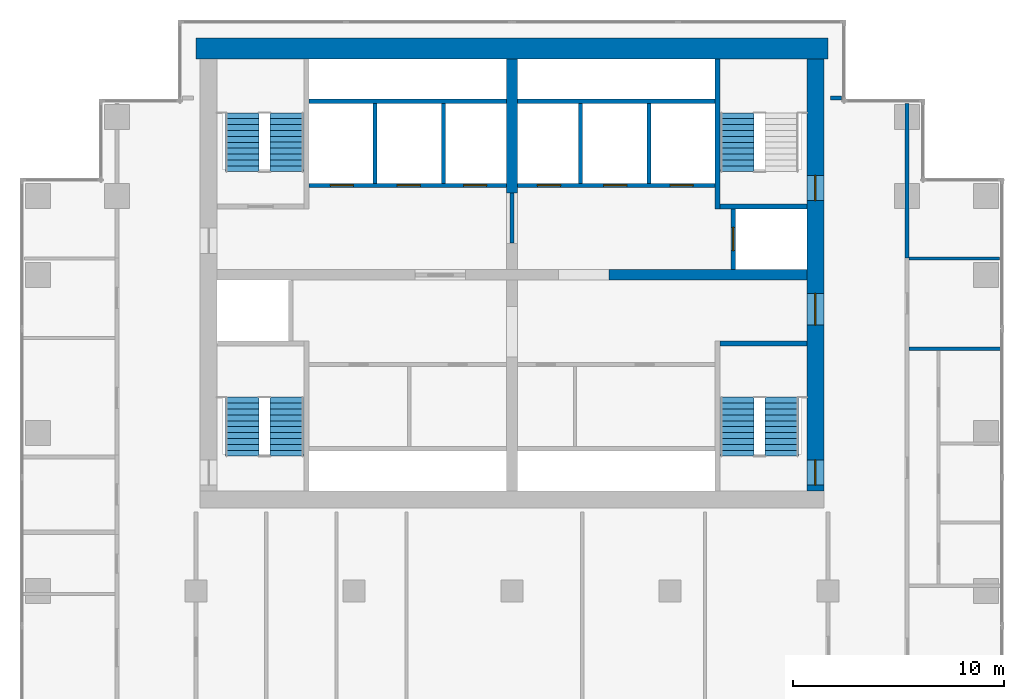
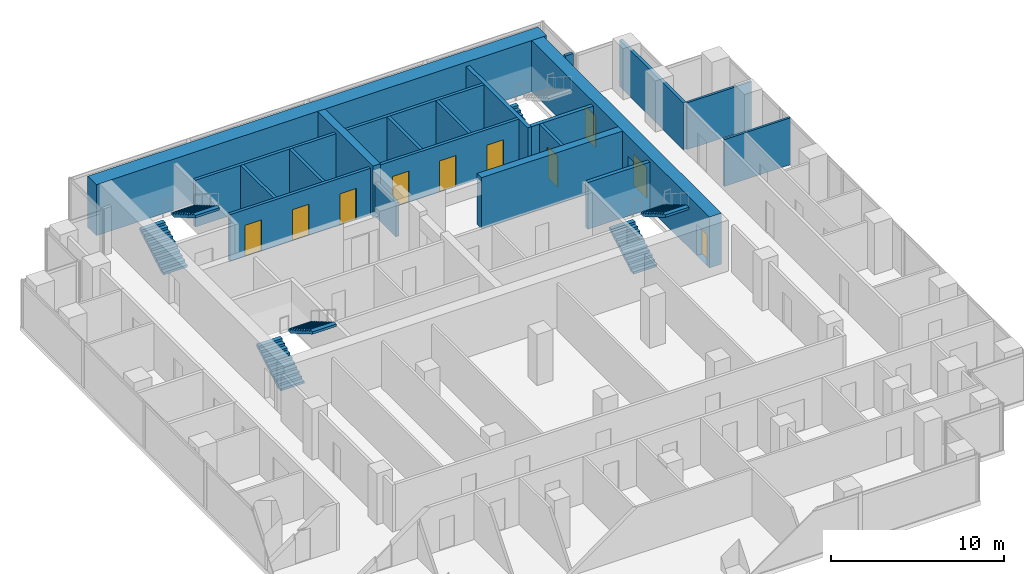
# One storey, part 9 of 11: 21 walls, 10 doors, 7 stair flights, 10 openings, 4 elements without a shape of their own.
"""IFC4 building model written with IfcOpenShell, lengths in metres."""

from ifc_helpers import new_model, si_unit, direction, frame, frame_2d, origin, place, context, subcontext, project, spatial, polyline, rectangle, outline, extrude, material, layer, layer_set, type_object, element, fill, aggregate, save


model = new_model("IFC4")

# Units and contexts
model_context = context("Model", 3, precision=1e-05, world=origin(), true_north=direction((0.0, 1.0)))
body_context = subcontext(model_context, "Body", "Model", "MODEL_VIEW")
ifc_project = project(units=[si_unit("LENGTHUNIT", "METRE"), si_unit("AREAUNIT", "SQUARE_METRE"), si_unit("VOLUMEUNIT", "CUBIC_METRE"), si_unit("PLANEANGLEUNIT", "RADIAN"), si_unit("MASSUNIT", "GRAM", prefix="KILO")], contexts=[model_context])

# Site, building, storey
site_placement = place(None, origin())
site = spatial("IfcSite", under=ifc_project, at=site_placement, CompositionType="ELEMENT")
building_placement = place(site_placement, origin())
building = spatial("IfcBuilding", under=site, at=building_placement, Name="Pilkhan Gate Tower", CompositionType="ELEMENT")
storey_placement = place(building_placement, frame((0.0, 0.0, 172.89990234375)))
storey = spatial("IfcBuildingStorey", under=building, at=storey_placement, Name="L44", CompositionType="ELEMENT", Elevation=172.89990234375)

# Wall
ifc_material_1 = material(Name="Concrete C60/75", Category="concrete")
ifc_layer_1 = layer(ifc_material_1, 1.0)
ifc_layer_set_1 = layer_set([ifc_layer_1], Name="Core wall CW1000 C60/75")
wall_type_1 = type_object("IfcWallType", Name="Core wall CW1000 C60/75", PredefinedType="SHEAR", material=ifc_layer_set_1)
wall_1_placement = place(storey_placement, frame((90.0, 93.25, 0.0), z_axis=(0.0, 0.0, 1.0), x_axis=(-1.0, 0.0, 0.0)))
element("IfcWall", 1, at=wall_1_placement, inside=storey, type_object=wall_type_1, Name="Core wall N L44", PredefinedType="SHEAR", context=body_context, shape_type="SweptSolid", body=[
    extrude(rectangle(XDim=30.0, YDim=1.0, at=frame_2d((15.0, 0.0))), origin(), (0.0, 0.0, 1.0), 3.60009765625),
])

# Wall, openings, doors
ifc_layer_2 = layer(ifc_material_1, 0.800048828125)
ifc_layer_set_2 = layer_set([ifc_layer_2], Name="Core wall CW800 C60/75")
wall_type_2 = type_object("IfcWallType", Name="Core wall CW800 C60/75", PredefinedType="SHEAR", material=ifc_layer_set_2)
wall_2_placement = place(storey_placement, frame((89.39990234375, 72.25, 0.0), z_axis=(0.0, 0.0, 1.0), x_axis=(0.0, 1.0, 0.0)))
wall_2 = element("IfcWall", 2, at=wall_2_placement, inside=storey, type_object=wall_type_2, Name="Core wall E L44", PredefinedType="SHEAR", context=body_context, shape_type="SweptSolid", body=[
    extrude(rectangle(XDim=20.5, YDim=0.800048828125, at=frame_2d((10.25, 0.0))), origin(), (0.0, 0.0, 1.0), 3.60009765625),
])
opening_1_placement = place(wall_2_placement, frame((0.27490234375, 0.0, 0.0)))
opening_1 = element("IfcOpeningElement", 3, at=opening_1_placement, cuts=wall_2, Name="Opening L44-03", PredefinedType="OPENING", context=body_context, shape_type="SweptSolid", body=[
    extrude(rectangle(XDim=1.199951171875, YDim=2.199951171875, at=frame_2d((0.60009765625, 1.10009765625))), frame((0.0, 0.409912109375, 0.0), z_axis=(0.0, -1.0, 0.0), x_axis=(1.0, 0.0, 0.0)), (0.0, 0.0, 1.0), 0.820068359375),
])
opening_2_placement = place(wall_2_placement, frame((13.77490234375, 0.0, 0.0)))
opening_2 = element("IfcOpeningElement", 4, at=opening_2_placement, cuts=wall_2, Name="Opening L44-05", PredefinedType="OPENING", context=body_context, shape_type="SweptSolid", body=[
    extrude(rectangle(XDim=1.199951171875, YDim=2.199951171875, at=frame_2d((0.60009765625, 1.10009765625))), frame((0.0, 0.409912109375, 0.0), z_axis=(0.0, -1.0, 0.0), x_axis=(1.0, 0.0, 0.0)), (0.0, 0.0, 1.0), 0.820068359375),
])
opening_3_placement = place(wall_2_placement, frame((7.875, 0.0, 0.0)))
opening_3 = element("IfcOpeningElement", 5, at=opening_3_placement, cuts=wall_2, Name="Opening L44-10", PredefinedType="OPENING", context=body_context, shape_type="SweptSolid", body=[
    extrude(rectangle(XDim=1.5, YDim=2.199951171875, at=frame_2d((0.75, 1.10009765625))), frame((0.0, 0.409912109375, 0.0), z_axis=(0.0, -1.0, 0.0), x_axis=(1.0, 0.0, 0.0)), (0.0, 0.0, 1.0), 0.820068359375),
])
ifc_material_2 = material(Name="Steel framed glazed door, 60 minute fire resisting", Category="steel")
door_type_1 = type_object("IfcDoorType", Name="Lobby door D09 1500x2200", OperationType="DOUBLE_DOOR_SINGLE_SWING", PredefinedType="DOOR", material=ifc_material_2)
door_1_placement = place(opening_3_placement, origin())
door_1 = element("IfcDoor", 6, at=door_1_placement, inside=storey, type_object=door_type_1, Name="Core door", OperationType="DOUBLE_DOOR_SINGLE_SWING", OverallHeight=2.199951171875, OverallWidth=1.5, PredefinedType="DOOR", context=body_context, shape_type="SweptSolid", body=[
    extrude(rectangle(XDim=1.5, YDim=2.199951171875, at=frame_2d((0.75, 1.10009765625))), frame((0.0, 0.02490234375, 0.0), z_axis=(0.0, -1.0, 0.0), x_axis=(1.0, 0.0, 0.0)), (0.0, 0.0, 1.0), 0.050048828125),
])
fill(opening_3, door_1)
ifc_material_3 = material(Name="Steel door, 120 minute fire resisting, panic bar", Category="steel")
door_type_2 = type_object("IfcDoorType", Name="Stair door D11 1200x2200", OperationType="SINGLE_SWING_LEFT", PredefinedType="DOOR", material=ifc_material_3)
door_2_placement = place(opening_1_placement, origin())
door_2 = element("IfcDoor", 7, at=door_2_placement, inside=storey, type_object=door_type_2, Name="Stair ST1 door", OperationType="SINGLE_SWING_LEFT", OverallHeight=2.199951171875, OverallWidth=1.199951171875, PredefinedType="DOOR", context=body_context, shape_type="SweptSolid", body=[
    extrude(rectangle(XDim=1.199951171875, YDim=2.199951171875, at=frame_2d((0.60009765625, 1.10009765625))), frame((0.0, 0.02490234375, 0.0), z_axis=(0.0, -1.0, 0.0), x_axis=(1.0, 0.0, 0.0)), (0.0, 0.0, 1.0), 0.050048828125),
])
fill(opening_1, door_2)
door_3_placement = place(opening_2_placement, origin())
door_3 = element("IfcDoor", 8, at=door_3_placement, inside=storey, type_object=door_type_2, Name="Stair ST4 door", OperationType="SINGLE_SWING_RIGHT", OverallHeight=2.199951171875, OverallWidth=1.199951171875, PredefinedType="DOOR", context=body_context, shape_type="SweptSolid", body=[
    extrude(rectangle(XDim=1.199951171875, YDim=2.199951171875, at=frame_2d((0.60009765625, 1.10009765625))), frame((0.0, 0.02490234375, 0.0), z_axis=(0.0, -1.0, 0.0), x_axis=(1.0, 0.0, 0.0)), (0.0, 0.0, 1.0), 0.050048828125),
])
fill(opening_2, door_3)

# Walls
ifc_material_4 = material(Name="Dense blockwork", Category="masonry")
ifc_layer_3 = layer(ifc_material_4, 0.199951171875)
ifc_layer_set_3 = layer_set([ifc_layer_3], Name="Corridor wall FW200")
wall_type_3 = type_object("IfcWallType", Name="Corridor wall FW200", PredefinedType="PARTITIONING", material=ifc_layer_set_3)
wall_3_placement = place(storey_placement, frame((90.1201171875, 90.89990234375, 0.0), z_axis=(0.0, 0.0, 1.0), x_axis=(1.0, 0.0, 0.0)))
element("IfcWall", 9, at=wall_3_placement, inside=storey, type_object=wall_type_3, Name="Partition L44", PredefinedType="PARTITIONING", context=body_context, shape_type="SweptSolid", body=[
    extrude(rectangle(XDim=0.52490234375, YDim=0.199951171875, at=frame_2d((0.262451171875, 0.0))), origin(), (0.0, 0.0, 1.0), 3.300048828125),
])
wall_4_placement = place(storey_placement, frame((93.75, 83.31005859375, 0.0), z_axis=(0.0, 0.0, 1.0), x_axis=(0.0, 1.0, 0.0)))
element("IfcWall", 10, at=wall_4_placement, inside=storey, type_object=wall_type_3, Name="Partition L44", PredefinedType="PARTITIONING", context=body_context, shape_type="SweptSolid", body=[
    extrude(rectangle(XDim=7.3349609375, YDim=0.199951171875, at=frame_2d((3.66748046875, 0.0))), origin(), (0.0, 0.0, 1.0), 3.300048828125),
])
ifc_layer_4 = layer(ifc_material_4, 0.199951171875)
ifc_layer_set_4 = layer_set([ifc_layer_4], Name="Lobby wall LW200")
wall_type_4 = type_object("IfcWallType", Name="Lobby wall LW200", PredefinedType="PARTITIONING", material=ifc_layer_set_4)
wall_5_placement = place(storey_placement, frame((75.0, 84.010009765625, 0.0), z_axis=(0.0, 0.0, 1.0), x_axis=(0.0, 1.0, 0.0)))
element("IfcWall", 11, at=wall_5_placement, inside=storey, type_object=wall_type_4, Name="Partition L44", PredefinedType="PARTITIONING", context=body_context, shape_type="SweptSolid", body=[
    extrude(rectangle(XDim=2.3798828125, YDim=0.199951171875, at=frame_2d((1.18994140625, 0.0))), origin(), (0.0, 0.0, 1.0), 2.400146484375),
])
ifc_material_5 = material(Name="Blockwork partition, plastered both sides", Category="masonry")
ifc_layer_5 = layer(ifc_material_5, 0.14990234375)
ifc_layer_set_5 = layer_set([ifc_layer_5], Name="Partition PW150")
wall_type_5 = type_object("IfcWallType", Name="Partition PW150", PredefinedType="PARTITIONING", material=ifc_layer_set_5)
wall_6_placement = place(storey_placement, frame((93.85009765625, 79.0, 0.0), z_axis=(0.0, 0.0, 1.0), x_axis=(1.0, 0.0, 0.0)))
element("IfcWall", 12, at=wall_6_placement, inside=storey, type_object=wall_type_5, Name="Partition L44", PredefinedType="PARTITIONING", context=body_context, shape_type="SweptSolid", body=[
    extrude(rectangle(XDim=4.414794921875, YDim=0.14990234375, at=frame_2d((2.20751953125, 0.0))), origin(), (0.0, 0.0, 1.0), 3.300048828125),
])
wall_7_placement = place(storey_placement, frame((93.85009765625, 83.280029296875, 0.0), z_axis=(0.0, 0.0, 1.0), x_axis=(1.0, 0.0, 0.0)))
element("IfcWall", 13, at=wall_7_placement, inside=storey, type_object=wall_type_5, Name="Partition L44", PredefinedType="PARTITIONING", context=body_context, shape_type="SweptSolid", body=[
    extrude(rectangle(XDim=4.294921875, YDim=0.14990234375, at=frame_2d((2.1474609375, 0.0))), origin(), (0.0, 0.0, 1.0), 3.300048828125),
])

# Wall, openings, doors
ifc_material_6 = material(Name="Reinforced blockwork shaft wall, 120 minute fire resisting", Category="masonry")
ifc_layer_6 = layer(ifc_material_6, 0.199951171875)
ifc_layer_set_6 = layer_set([ifc_layer_6], Name="Shaft wall SW200")
wall_type_6 = type_object("IfcWallType", Name="Shaft wall SW200", PredefinedType="PARTITIONING", material=ifc_layer_set_6)
wall_8_placement = place(storey_placement, frame((65.375, 86.75, 0.0), z_axis=(0.0, 0.0, 1.0), x_axis=(1.0, 0.0, 0.0)))
wall_8 = element("IfcWall", 14, at=wall_8_placement, inside=storey, type_object=wall_type_6, Name="Partition L44", PredefinedType="PARTITIONING", context=body_context, shape_type="SweptSolid", body=[
    extrude(rectangle(XDim=9.364990234375, YDim=0.199951171875, at=frame_2d((4.6826171875, 0.0))), origin(), (0.0, 0.0, 1.0), 3.300048828125),
])
opening_4_placement = place(wall_8_placement, frame((1.0, 0.0, 0.0)))
opening_4 = element("IfcOpeningElement", 15, at=opening_4_placement, cuts=wall_8, Name="Opening LD", PredefinedType="OPENING", context=body_context, shape_type="SweptSolid", body=[
    extrude(rectangle(XDim=1.10009765625, YDim=2.199951171875, at=frame_2d((0.550048828125, 1.10009765625))), frame((0.0, 0.10986328125, 0.0), z_axis=(0.0, -1.0, 0.0), x_axis=(1.0, 0.0, 0.0)), (0.0, 0.0, 1.0), 0.219970703125),
])
opening_5_placement = place(wall_8_placement, frame((4.175048828125, 0.0, 0.0)))
opening_5 = element("IfcOpeningElement", 16, at=opening_5_placement, cuts=wall_8, Name="Opening LD", PredefinedType="OPENING", context=body_context, shape_type="SweptSolid", body=[
    extrude(rectangle(XDim=1.10009765625, YDim=2.199951171875, at=frame_2d((0.550048828125, 1.10009765625))), frame((0.0, 0.10986328125, 0.0), z_axis=(0.0, -1.0, 0.0), x_axis=(1.0, 0.0, 0.0)), (0.0, 0.0, 1.0), 0.219970703125),
])
opening_6_placement = place(wall_8_placement, frame((7.324951171875, 0.0, 0.0)))
opening_6 = element("IfcOpeningElement", 17, at=opening_6_placement, cuts=wall_8, Name="Opening LD", PredefinedType="OPENING", context=body_context, shape_type="SweptSolid", body=[
    extrude(rectangle(XDim=1.10009765625, YDim=2.199951171875, at=frame_2d((0.550048828125, 1.10009765625))), frame((0.0, 0.10986328125, 0.0), z_axis=(0.0, -1.0, 0.0), x_axis=(1.0, 0.0, 0.0)), (0.0, 0.0, 1.0), 0.219970703125),
])
ifc_material_7 = material(Name="Stainless steel centre-opening landing door, 120 minute fire resisting", Category="steel")
door_type_3 = type_object("IfcDoorType", Name="Lift landing door LD 1100x2200", OperationType="DOUBLE_DOOR_SLIDING", PredefinedType="DOOR", material=ifc_material_7)
door_4_placement = place(opening_4_placement, origin())
door_4 = element("IfcDoor", 18, at=door_4_placement, inside=storey, type_object=door_type_3, Name="Landing door FF1", OperationType="DOUBLE_DOOR_SLIDING", OverallHeight=2.199951171875, OverallWidth=1.10009765625, PredefinedType="DOOR", context=body_context, shape_type="SweptSolid", body=[
    extrude(rectangle(XDim=1.10009765625, YDim=2.199951171875, at=frame_2d((0.550048828125, 1.10009765625))), frame((0.0, 0.02490234375, 0.0), z_axis=(0.0, -1.0, 0.0), x_axis=(1.0, 0.0, 0.0)), (0.0, 0.0, 1.0), 0.050048828125),
])
fill(opening_4, door_4)
door_5_placement = place(opening_5_placement, origin())
door_5 = element("IfcDoor", 19, at=door_5_placement, inside=storey, type_object=door_type_3, Name="Landing door FF2", OperationType="DOUBLE_DOOR_SLIDING", OverallHeight=2.199951171875, OverallWidth=1.10009765625, PredefinedType="DOOR", context=body_context, shape_type="SweptSolid", body=[
    extrude(rectangle(XDim=1.10009765625, YDim=2.199951171875, at=frame_2d((0.550048828125, 1.10009765625))), frame((0.0, 0.02490234375, 0.0), z_axis=(0.0, -1.0, 0.0), x_axis=(1.0, 0.0, 0.0)), (0.0, 0.0, 1.0), 0.050048828125),
])
fill(opening_5, door_5)
door_6_placement = place(opening_6_placement, origin())
door_6 = element("IfcDoor", 20, at=door_6_placement, inside=storey, type_object=door_type_3, Name="Landing door SV1", OperationType="DOUBLE_DOOR_SLIDING", OverallHeight=2.199951171875, OverallWidth=1.10009765625, PredefinedType="DOOR", context=body_context, shape_type="SweptSolid", body=[
    extrude(rectangle(XDim=1.10009765625, YDim=2.199951171875, at=frame_2d((0.550048828125, 1.10009765625))), frame((0.0, 0.02490234375, 0.0), z_axis=(0.0, -1.0, 0.0), x_axis=(1.0, 0.0, 0.0)), (0.0, 0.0, 1.0), 0.050048828125),
])
fill(opening_6, door_6)

wall_9_placement = place(storey_placement, frame((75.260009765625, 86.75, 0.0), z_axis=(0.0, 0.0, 1.0), x_axis=(1.0, 0.0, 0.0)))
wall_9 = element("IfcWall", 21, at=wall_9_placement, inside=storey, type_object=wall_type_6, Name="Partition L44", PredefinedType="PARTITIONING", context=body_context, shape_type="SweptSolid", body=[
    extrude(rectangle(XDim=9.364990234375, YDim=0.199951171875, at=frame_2d((4.6826171875, 0.0))), origin(), (0.0, 0.0, 1.0), 3.300048828125),
])
opening_7_placement = place(wall_9_placement, frame((0.949951171875, 0.0, 0.0)))
opening_7 = element("IfcOpeningElement", 22, at=opening_7_placement, cuts=wall_9, Name="Opening LD", PredefinedType="OPENING", context=body_context, shape_type="SweptSolid", body=[
    extrude(rectangle(XDim=1.10009765625, YDim=2.199951171875, at=frame_2d((0.550048828125, 1.10009765625))), frame((0.0, 0.10986328125, 0.0), z_axis=(0.0, -1.0, 0.0), x_axis=(1.0, 0.0, 0.0)), (0.0, 0.0, 1.0), 0.219970703125),
])
opening_8_placement = place(wall_9_placement, frame((4.090087890625, 0.0, 0.0)))
opening_8 = element("IfcOpeningElement", 23, at=opening_8_placement, cuts=wall_9, Name="Opening LD", PredefinedType="OPENING", context=body_context, shape_type="SweptSolid", body=[
    extrude(rectangle(XDim=1.10009765625, YDim=2.199951171875, at=frame_2d((0.550048828125, 1.10009765625))), frame((0.0, 0.10986328125, 0.0), z_axis=(0.0, -1.0, 0.0), x_axis=(1.0, 0.0, 0.0)), (0.0, 0.0, 1.0), 0.219970703125),
])
opening_9_placement = place(wall_9_placement, frame((7.239990234375, 0.0, 0.0)))
opening_9 = element("IfcOpeningElement", 24, at=opening_9_placement, cuts=wall_9, Name="Opening LD", PredefinedType="OPENING", context=body_context, shape_type="SweptSolid", body=[
    extrude(rectangle(XDim=1.10009765625, YDim=2.199951171875, at=frame_2d((0.550048828125, 1.10009765625))), frame((0.0, 0.10986328125, 0.0), z_axis=(0.0, -1.0, 0.0), x_axis=(1.0, 0.0, 0.0)), (0.0, 0.0, 1.0), 0.219970703125),
])
door_7_placement = place(opening_7_placement, origin())
door_7 = element("IfcDoor", 25, at=door_7_placement, inside=storey, type_object=door_type_3, Name="Landing door HR1", OperationType="DOUBLE_DOOR_SLIDING", OverallHeight=2.199951171875, OverallWidth=1.10009765625, PredefinedType="DOOR", context=body_context, shape_type="SweptSolid", body=[
    extrude(rectangle(XDim=1.10009765625, YDim=2.199951171875, at=frame_2d((0.550048828125, 1.10009765625))), frame((0.0, 0.02490234375, 0.0), z_axis=(0.0, -1.0, 0.0), x_axis=(1.0, 0.0, 0.0)), (0.0, 0.0, 1.0), 0.050048828125),
])
fill(opening_7, door_7)
door_8_placement = place(opening_8_placement, origin())
door_8 = element("IfcDoor", 26, at=door_8_placement, inside=storey, type_object=door_type_3, Name="Landing door HR2", OperationType="DOUBLE_DOOR_SLIDING", OverallHeight=2.199951171875, OverallWidth=1.10009765625, PredefinedType="DOOR", context=body_context, shape_type="SweptSolid", body=[
    extrude(rectangle(XDim=1.10009765625, YDim=2.199951171875, at=frame_2d((0.550048828125, 1.10009765625))), frame((0.0, 0.02490234375, 0.0), z_axis=(0.0, -1.0, 0.0), x_axis=(1.0, 0.0, 0.0)), (0.0, 0.0, 1.0), 0.050048828125),
])
fill(opening_8, door_8)
door_9_placement = place(opening_9_placement, origin())
door_9 = element("IfcDoor", 27, at=door_9_placement, inside=storey, type_object=door_type_3, Name="Landing door HR3", OperationType="DOUBLE_DOOR_SLIDING", OverallHeight=2.199951171875, OverallWidth=1.10009765625, PredefinedType="DOOR", context=body_context, shape_type="SweptSolid", body=[
    extrude(rectangle(XDim=1.10009765625, YDim=2.199951171875, at=frame_2d((0.550048828125, 1.10009765625))), frame((0.0, 0.02490234375, 0.0), z_axis=(0.0, -1.0, 0.0), x_axis=(1.0, 0.0, 0.0)), (0.0, 0.0, 1.0), 0.050048828125),
])
fill(opening_9, door_9)

# Walls
for number, where, z_axis, x_axis, name in (
    (28, (65.375, 90.75, 0.0), (0.0, 0.0, 1.0), (1.0, 0.0, 0.0), "Partition L44"),
    (29, (75.260009765625, 90.75, 0.0), (0.0, 0.0, 1.0), (1.0, 0.0, 0.0), "Partition L44"),
):
    element("IfcWall", number, at=place(storey_placement, frame(where, z_axis=z_axis, x_axis=x_axis)), inside=storey, type_object=wall_type_6, Name=name, PredefinedType="PARTITIONING", context=body_context, shape_type="SweptSolid", body=[
        extrude(rectangle(XDim=9.364990234375, YDim=0.199951171875, at=frame_2d((4.6826171875, 0.0))), origin(), (0.0, 0.0, 1.0), 3.300048828125),
    ])
for number, where, z_axis, x_axis, name in (
    (30, (68.5, 86.85009765625, 0.0), (0.0, 0.0, 1.0), (0.0, 1.0, 0.0), "Partition L44"),
    (31, (71.75, 86.85009765625, 0.0), (0.0, 0.0, 1.0), (0.0, 1.0, 0.0), "Partition L44"),
    (32, (78.25, 86.85009765625, 0.0), (0.0, 0.0, 1.0), (0.0, 1.0, 0.0), "Partition L44"),
    (33, (81.5, 86.85009765625, 0.0), (0.0, 0.0, 1.0), (0.0, 1.0, 0.0), "Partition L44"),
):
    element("IfcWall", number, at=place(storey_placement, frame(where, z_axis=z_axis, x_axis=x_axis)), inside=storey, type_object=wall_type_6, Name=name, PredefinedType="PARTITIONING", context=body_context, shape_type="SweptSolid", body=[
        extrude(rectangle(XDim=3.7998046875, YDim=0.199951171875, at=frame_2d((1.89990234375, 0.0))), origin(), (0.0, 0.0, 1.0), 3.300048828125),
    ])

# Wall, opening, door
wall_10_placement = place(storey_placement, frame((85.5, 82.760009765625, 0.0), z_axis=(0.0, 0.0, 1.0), x_axis=(0.0, 1.0, 0.0)))
wall_10 = element("IfcWall", 34, at=wall_10_placement, inside=storey, type_object=wall_type_6, Name="Partition L44", PredefinedType="PARTITIONING", context=body_context, shape_type="SweptSolid", body=[
    extrude(rectangle(XDim=2.864990234375, YDim=0.199951171875, at=frame_2d((1.4326171875, 0.0))), origin(), (0.0, 0.0, 1.0), 3.300048828125),
])
opening_10_placement = place(wall_10_placement, frame((0.89990234375, 0.0, 0.0)))
opening_10 = element("IfcOpeningElement", 35, at=opening_10_placement, cuts=wall_10, Name="Opening LD", PredefinedType="OPENING", context=body_context, shape_type="SweptSolid", body=[
    extrude(rectangle(XDim=1.10009765625, YDim=2.199951171875, at=frame_2d((0.550048828125, 1.10009765625))), frame((0.0, 0.10986328125, 0.0), z_axis=(0.0, -1.0, 0.0), x_axis=(1.0, 0.0, 0.0)), (0.0, 0.0, 1.0), 0.219970703125),
])
door_10_placement = place(opening_10_placement, origin())
door_10 = element("IfcDoor", 36, at=door_10_placement, inside=storey, type_object=door_type_3, Name="Landing door HR4", OperationType="DOUBLE_DOOR_SLIDING", OverallHeight=2.199951171875, OverallWidth=1.10009765625, PredefinedType="DOOR", context=body_context, shape_type="SweptSolid", body=[
    extrude(rectangle(XDim=1.10009765625, YDim=2.199951171875, at=frame_2d((0.550048828125, 1.10009765625))), frame((0.0, 0.02490234375, 0.0), z_axis=(0.0, -1.0, 0.0), x_axis=(1.0, 0.0, 0.0)), (0.0, 0.0, 1.0), 0.050048828125),
])
fill(opening_10, door_10)

# Walls
ifc_layer_7 = layer(ifc_material_1, 0.5)
ifc_layer_set_7 = layer_set([ifc_layer_7], Name="Spine wall SW500 C60/75")
wall_type_7 = type_object("IfcWallType", Name="Spine wall SW500 C60/75", PredefinedType="SHEAR", material=ifc_layer_set_7)
wall_11_placement = place(storey_placement, frame((79.60009765625, 82.5, 0.0), z_axis=(0.0, 0.0, 1.0), x_axis=(1.0, 0.0, 0.0)))
element("IfcWall", 37, at=wall_11_placement, inside=storey, type_object=wall_type_7, Name="Spine wall SP-EW3 L44", PredefinedType="SHEAR", context=body_context, shape_type="SweptSolid", body=[
    extrude(rectangle(XDim=9.39990234375, YDim=0.5, at=frame_2d((4.699951171875, 0.0))), origin(), (0.0, 0.0, 1.0), 3.60009765625),
])
wall_12_placement = place(storey_placement, frame((75.0, 86.39990234375, 0.0), z_axis=(0.0, 0.0, 1.0), x_axis=(0.0, 1.0, 0.0)))
element("IfcWall", 38, at=wall_12_placement, inside=storey, type_object=wall_type_7, Name="Spine wall SP-NS-N2 L44", PredefinedType="SHEAR", context=body_context, shape_type="SweptSolid", body=[
    extrude(rectangle(XDim=6.35009765625, YDim=0.5, at=frame_2d((3.175048828125, 0.0))), origin(), (0.0, 0.0, 1.0), 3.60009765625),
])
ifc_material_8 = material(Name="Reinforced blockwork, 120 minute fire resisting", Category="masonry")
ifc_layer_8 = layer(ifc_material_8, 0.25)
ifc_layer_set_8 = layer_set([ifc_layer_8], Name="Stair enclosure wall SE250")
wall_type_8 = type_object("IfcWallType", Name="Stair enclosure wall SE250", PredefinedType="PARTITIONING", material=ifc_layer_set_8)
for number, where, z_axis, x_axis, name in (
    (39, (84.875, 79.25, 0.0), (0.0, 0.0, 1.0), (1.0, 0.0, 0.0), "Partition L44"),
    (40, (84.875, 85.75, 0.0), (0.0, 0.0, 1.0), (1.0, 0.0, 0.0), "Partition L44"),
):
    element("IfcWall", number, at=place(storey_placement, frame(where, z_axis=z_axis, x_axis=x_axis)), inside=storey, type_object=wall_type_8, Name=name, PredefinedType="PARTITIONING", context=body_context, shape_type="SweptSolid", body=[
        extrude(rectangle(XDim=4.125, YDim=0.25, at=frame_2d((2.0625, 0.0))), origin(), (0.0, 0.0, 1.0), 3.300048828125),
    ])
wall_13_placement = place(storey_placement, frame((84.75, 85.625, 0.0), z_axis=(0.0, 0.0, 1.0), x_axis=(0.0, 1.0, 0.0)))
element("IfcWall", 41, at=wall_13_placement, inside=storey, type_object=wall_type_8, Name="Partition L44", PredefinedType="PARTITIONING", context=body_context, shape_type="SweptSolid", body=[
    extrude(rectangle(XDim=7.114990234375, YDim=0.25, at=frame_2d((3.5576171875, 0.0))), origin(), (0.0, 0.0, 1.0), 3.300048828125),
])

# Stair, stair flights
ifc_material_9 = material(Name="Concrete C40/50 precast", Category="concrete")
stair_type_1 = type_object("IfcStairType", Name="Stair ST1 164x280", PredefinedType="HALF_TURN_STAIR", material=ifc_material_9)
stair_1_placement = place(storey_placement, origin())
stair_1 = element("IfcStair", 42, at=stair_1_placement, inside=storey, type_object=stair_type_1, Name="Stair ST1 L44", PredefinedType="HALF_TURN_STAIR")
stair_flight_type_1 = type_object("IfcStairFlightType", Name="Stair flight ST1 164x280x11", PredefinedType="STRAIGHT", material=ifc_material_9)
stair_flight_1_placement = place(storey_placement, frame((85.68994140625, 73.89990234375, 0.0), z_axis=(0.0, 0.0, 1.0), x_axis=(0.0, 1.0, 0.0)))
stair_flight_1 = element("IfcStairFlight", 43, at=stair_flight_1_placement, type_object=stair_flight_type_1, Name="ST1 flight 1", NumberOfRisers=11, NumberOfTreads=10, PredefinedType="STRAIGHT", RiserHeight=0.163636364, TreadLength=0.28, context=body_context, shape_type="SweptSolid", body=[
    extrude(outline(polyline([(0.0, 0.0), (0.0, 0.16357421875), (0.280029296875, 0.16357421875), (0.280029296875, 0.327392578125), (0.56005859375, 0.327392578125), (0.56005859375, 0.490966796875), (0.840087890625, 0.490966796875), (0.840087890625, 0.654541015625), (1.1201171875, 0.654541015625), (1.1201171875, 0.818115234375), (1.39990234375, 0.818115234375), (1.39990234375, 0.98193359375), (1.679931640625, 0.98193359375), (1.679931640625, 1.1455078125), (1.9599609375, 1.1455078125), (1.9599609375, 1.30908203125), (2.239990234375, 1.30908203125), (2.239990234375, 1.47265625), (2.52001953125, 1.47265625), (2.52001953125, 1.636474609375), (2.800048828125, 1.636474609375), (2.800048828125, 1.800048828125), (2.800048828125, 1.462646484375), (0.297119140625, 0.0), (0.0, 0.0)])), frame((0.0, 0.7900390625, 0.0), z_axis=(0.0, -1.0, 0.0), x_axis=(1.0, 0.0, 0.0)), (0.0, 0.0, 1.0), 1.580078125),
])
stair_flight_2_placement = place(storey_placement, frame((87.81005859375, 76.699951171875, 1.800048828125), z_axis=(0.0, 0.0, 1.0), x_axis=(0.0, -1.0, 0.0)))
stair_flight_2 = element("IfcStairFlight", 44, at=stair_flight_2_placement, type_object=stair_flight_type_1, Name="ST1 flight 2", NumberOfRisers=11, NumberOfTreads=10, PredefinedType="STRAIGHT", RiserHeight=0.163636364, TreadLength=0.28, context=body_context, shape_type="SweptSolid", body=[
    extrude(outline(polyline([(0.0, 0.0), (0.0, 0.16357421875), (0.280029296875, 0.16357421875), (0.280029296875, 0.327392578125), (0.56005859375, 0.327392578125), (0.56005859375, 0.490966796875), (0.840087890625, 0.490966796875), (0.840087890625, 0.654541015625), (1.1201171875, 0.654541015625), (1.1201171875, 0.818115234375), (1.39990234375, 0.818115234375), (1.39990234375, 0.98193359375), (1.679931640625, 0.98193359375), (1.679931640625, 1.1455078125), (1.9599609375, 1.1455078125), (1.9599609375, 1.30908203125), (2.239990234375, 1.30908203125), (2.239990234375, 1.47265625), (2.52001953125, 1.47265625), (2.52001953125, 1.636474609375), (2.800048828125, 1.636474609375), (2.800048828125, 1.800048828125), (2.800048828125, 1.462646484375), (0.297119140625, 0.0), (0.0, 0.0)])), frame((0.0, 0.7900390625, 0.0), z_axis=(0.0, -1.0, 0.0), x_axis=(1.0, 0.0, 0.0)), (0.0, 0.0, 1.0), 1.580078125),
])
aggregate(stair_1, [stair_flight_1, stair_flight_2])

stair_type_2 = type_object("IfcStairType", Name="Stair ST2 164x280", PredefinedType="HALF_TURN_STAIR", material=ifc_material_9)
stair_2_placement = place(storey_placement, origin())
stair_2 = element("IfcStair", 45, at=stair_2_placement, inside=storey, type_object=stair_type_2, Name="Stair ST2 L44", PredefinedType="HALF_TURN_STAIR")
stair_flight_type_2 = type_object("IfcStairFlightType", Name="Stair flight ST2 164x280x11", PredefinedType="STRAIGHT", material=ifc_material_9)
stair_flight_3_placement = place(storey_placement, frame((62.18994140625, 73.89990234375, 0.0), z_axis=(0.0, 0.0, 1.0), x_axis=(0.0, 1.0, 0.0)))
stair_flight_3 = element("IfcStairFlight", 46, at=stair_flight_3_placement, type_object=stair_flight_type_2, Name="ST2 flight 1", NumberOfRisers=11, NumberOfTreads=10, PredefinedType="STRAIGHT", RiserHeight=0.163636364, TreadLength=0.28, context=body_context, shape_type="SweptSolid", body=[
    extrude(outline(polyline([(0.0, 0.0), (0.0, 0.16357421875), (0.280029296875, 0.16357421875), (0.280029296875, 0.327392578125), (0.56005859375, 0.327392578125), (0.56005859375, 0.490966796875), (0.840087890625, 0.490966796875), (0.840087890625, 0.654541015625), (1.1201171875, 0.654541015625), (1.1201171875, 0.818115234375), (1.39990234375, 0.818115234375), (1.39990234375, 0.98193359375), (1.679931640625, 0.98193359375), (1.679931640625, 1.1455078125), (1.9599609375, 1.1455078125), (1.9599609375, 1.30908203125), (2.239990234375, 1.30908203125), (2.239990234375, 1.47265625), (2.52001953125, 1.47265625), (2.52001953125, 1.636474609375), (2.800048828125, 1.636474609375), (2.800048828125, 1.800048828125), (2.800048828125, 1.462646484375), (0.297119140625, 0.0), (0.0, 0.0)])), frame((0.0, 0.7900390625, 0.0), z_axis=(0.0, -1.0, 0.0), x_axis=(1.0, 0.0, 0.0)), (0.0, 0.0, 1.0), 1.580078125),
])
stair_flight_4_placement = place(storey_placement, frame((64.31005859375, 76.699951171875, 1.800048828125), z_axis=(0.0, 0.0, 1.0), x_axis=(0.0, -1.0, 0.0)))
stair_flight_4 = element("IfcStairFlight", 47, at=stair_flight_4_placement, type_object=stair_flight_type_2, Name="ST2 flight 2", NumberOfRisers=11, NumberOfTreads=10, PredefinedType="STRAIGHT", RiserHeight=0.163636364, TreadLength=0.28, context=body_context, shape_type="SweptSolid", body=[
    extrude(outline(polyline([(0.0, 0.0), (0.0, 0.16357421875), (0.280029296875, 0.16357421875), (0.280029296875, 0.327392578125), (0.56005859375, 0.327392578125), (0.56005859375, 0.490966796875), (0.840087890625, 0.490966796875), (0.840087890625, 0.654541015625), (1.1201171875, 0.654541015625), (1.1201171875, 0.818115234375), (1.39990234375, 0.818115234375), (1.39990234375, 0.98193359375), (1.679931640625, 0.98193359375), (1.679931640625, 1.1455078125), (1.9599609375, 1.1455078125), (1.9599609375, 1.30908203125), (2.239990234375, 1.30908203125), (2.239990234375, 1.47265625), (2.52001953125, 1.47265625), (2.52001953125, 1.636474609375), (2.800048828125, 1.636474609375), (2.800048828125, 1.800048828125), (2.800048828125, 1.462646484375), (0.297119140625, 0.0), (0.0, 0.0)])), frame((0.0, 0.7900390625, 0.0), z_axis=(0.0, -1.0, 0.0), x_axis=(1.0, 0.0, 0.0)), (0.0, 0.0, 1.0), 1.580078125),
])
aggregate(stair_2, [stair_flight_3, stair_flight_4])

stair_type_3 = type_object("IfcStairType", Name="Stair ST3 164x280", PredefinedType="HALF_TURN_STAIR", material=ifc_material_9)
stair_3_placement = place(storey_placement, origin())
stair_3 = element("IfcStair", 48, at=stair_3_placement, inside=storey, type_object=stair_type_3, Name="Stair ST3 L44", PredefinedType="HALF_TURN_STAIR")
stair_flight_type_3 = type_object("IfcStairFlightType", Name="Stair flight ST3 164x280x11", PredefinedType="STRAIGHT", material=ifc_material_9)
stair_flight_5_placement = place(storey_placement, frame((62.18994140625, 87.39990234375, 0.0), z_axis=(0.0, 0.0, 1.0), x_axis=(0.0, 1.0, 0.0)))
stair_flight_5 = element("IfcStairFlight", 49, at=stair_flight_5_placement, type_object=stair_flight_type_3, Name="ST3 flight 1", NumberOfRisers=11, NumberOfTreads=10, PredefinedType="STRAIGHT", RiserHeight=0.163636364, TreadLength=0.28, context=body_context, shape_type="SweptSolid", body=[
    extrude(outline(polyline([(0.0, 0.0), (0.0, 0.16357421875), (0.280029296875, 0.16357421875), (0.280029296875, 0.327392578125), (0.56005859375, 0.327392578125), (0.56005859375, 0.490966796875), (0.840087890625, 0.490966796875), (0.840087890625, 0.654541015625), (1.1201171875, 0.654541015625), (1.1201171875, 0.818115234375), (1.39990234375, 0.818115234375), (1.39990234375, 0.98193359375), (1.679931640625, 0.98193359375), (1.679931640625, 1.1455078125), (1.9599609375, 1.1455078125), (1.9599609375, 1.30908203125), (2.239990234375, 1.30908203125), (2.239990234375, 1.47265625), (2.52001953125, 1.47265625), (2.52001953125, 1.636474609375), (2.800048828125, 1.636474609375), (2.800048828125, 1.800048828125), (2.800048828125, 1.462646484375), (0.297119140625, 0.0), (0.0, 0.0)])), frame((0.0, 0.7900390625, 0.0), z_axis=(0.0, -1.0, 0.0), x_axis=(1.0, 0.0, 0.0)), (0.0, 0.0, 1.0), 1.580078125),
])
stair_flight_6_placement = place(storey_placement, frame((64.31005859375, 90.199951171875, 1.800048828125), z_axis=(0.0, 0.0, 1.0), x_axis=(0.0, -1.0, 0.0)))
stair_flight_6 = element("IfcStairFlight", 50, at=stair_flight_6_placement, type_object=stair_flight_type_3, Name="ST3 flight 2", NumberOfRisers=11, NumberOfTreads=10, PredefinedType="STRAIGHT", RiserHeight=0.163636364, TreadLength=0.28, context=body_context, shape_type="SweptSolid", body=[
    extrude(outline(polyline([(0.0, 0.0), (0.0, 0.16357421875), (0.280029296875, 0.16357421875), (0.280029296875, 0.327392578125), (0.56005859375, 0.327392578125), (0.56005859375, 0.490966796875), (0.840087890625, 0.490966796875), (0.840087890625, 0.654541015625), (1.1201171875, 0.654541015625), (1.1201171875, 0.818115234375), (1.39990234375, 0.818115234375), (1.39990234375, 0.98193359375), (1.679931640625, 0.98193359375), (1.679931640625, 1.1455078125), (1.9599609375, 1.1455078125), (1.9599609375, 1.30908203125), (2.239990234375, 1.30908203125), (2.239990234375, 1.47265625), (2.52001953125, 1.47265625), (2.52001953125, 1.636474609375), (2.800048828125, 1.636474609375), (2.800048828125, 1.800048828125), (2.800048828125, 1.462646484375), (0.297119140625, 0.0), (0.0, 0.0)])), frame((0.0, 0.7900390625, 0.0), z_axis=(0.0, -1.0, 0.0), x_axis=(1.0, 0.0, 0.0)), (0.0, 0.0, 1.0), 1.580078125),
])
aggregate(stair_3, [stair_flight_5, stair_flight_6])

# Stair, stair flight
stair_type_4 = type_object("IfcStairType", Name="Stair ST4 164x280", PredefinedType="HALF_TURN_STAIR", material=ifc_material_9)
stair_4_placement = place(storey_placement, origin())
stair_4 = element("IfcStair", 51, at=stair_4_placement, inside=storey, type_object=stair_type_4, Name="Stair ST4 L44", PredefinedType="HALF_TURN_STAIR")
stair_flight_type_4 = type_object("IfcStairFlightType", Name="Stair flight ST4 164x280x11", PredefinedType="STRAIGHT", material=ifc_material_9)
stair_flight_7_placement = place(storey_placement, frame((85.68994140625, 87.39990234375, 0.0), z_axis=(0.0, 0.0, 1.0), x_axis=(0.0, 1.0, 0.0)))
stair_flight_7 = element("IfcStairFlight", 52, at=stair_flight_7_placement, type_object=stair_flight_type_4, Name="ST4 flight 1", NumberOfRisers=11, NumberOfTreads=10, PredefinedType="STRAIGHT", RiserHeight=0.163636364, TreadLength=0.28, context=body_context, shape_type="SweptSolid", body=[
    extrude(outline(polyline([(0.0, 0.0), (0.0, 0.16357421875), (0.280029296875, 0.16357421875), (0.280029296875, 0.327392578125), (0.56005859375, 0.327392578125), (0.56005859375, 0.490966796875), (0.840087890625, 0.490966796875), (0.840087890625, 0.654541015625), (1.1201171875, 0.654541015625), (1.1201171875, 0.818115234375), (1.39990234375, 0.818115234375), (1.39990234375, 0.98193359375), (1.679931640625, 0.98193359375), (1.679931640625, 1.1455078125), (1.9599609375, 1.1455078125), (1.9599609375, 1.30908203125), (2.239990234375, 1.30908203125), (2.239990234375, 1.47265625), (2.52001953125, 1.47265625), (2.52001953125, 1.636474609375), (2.800048828125, 1.636474609375), (2.800048828125, 1.800048828125), (2.800048828125, 1.462646484375), (0.297119140625, 0.0), (0.0, 0.0)])), frame((0.0, 0.7900390625, 0.0), z_axis=(0.0, -1.0, 0.0), x_axis=(1.0, 0.0, 0.0)), (0.0, 0.0, 1.0), 1.580078125),
])
aggregate(stair_4, [stair_flight_7])

save(model, "model.ifc")
